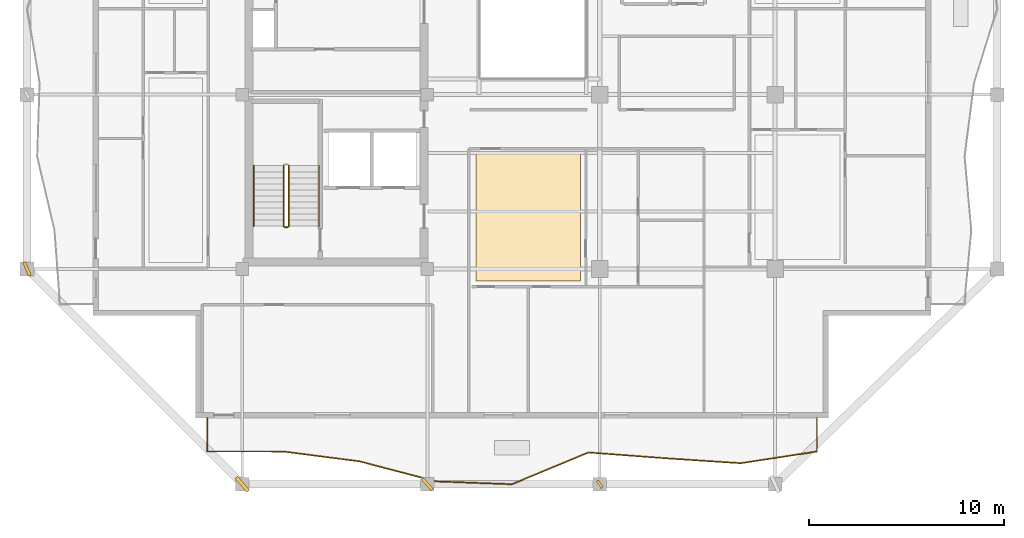
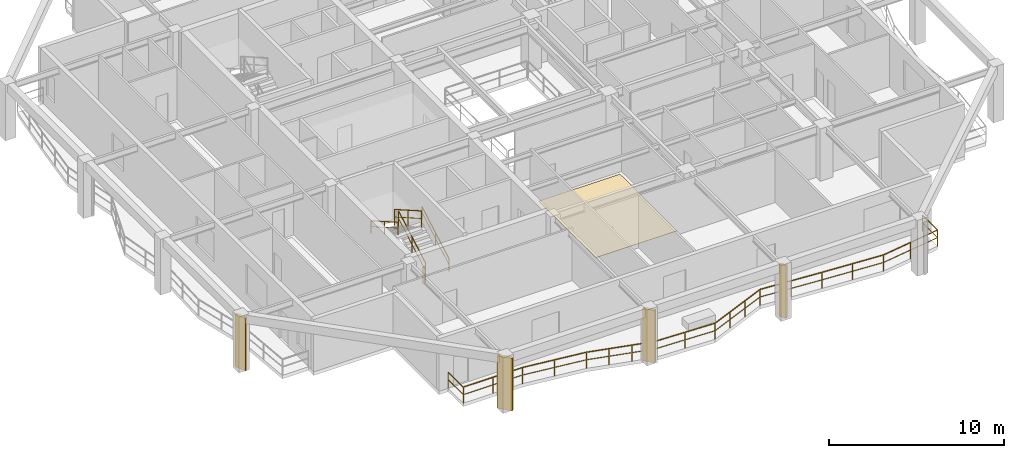
# One storey, part 7 of 11: 6 railings, 4 shading devices, 1 covering.
"""IFC4 building model written with IfcOpenShell, lengths in metres."""

from ifc_helpers import new_model, si_unit, direction, frame, origin, origin_2d, place, context, subcontext, project, spatial, polyline, rectangle, outline, extrude, material, layer, layer_set, type_object, element, save


model = new_model("IFC4")

# Units and contexts
model_context = context("Model", 3, precision=1e-05, world=origin(), true_north=direction((0.0, 1.0)))
body_context = subcontext(model_context, "Body", "Model", "MODEL_VIEW")
ifc_project = project(units=[si_unit("LENGTHUNIT", "METRE"), si_unit("AREAUNIT", "SQUARE_METRE"), si_unit("VOLUMEUNIT", "CUBIC_METRE"), si_unit("PLANEANGLEUNIT", "RADIAN"), si_unit("MASSUNIT", "GRAM", prefix="KILO")], contexts=[model_context])

# Site, building, storey
site_placement = place(None, origin())
site = spatial("IfcSite", under=ifc_project, at=site_placement, CompositionType="ELEMENT")
building_placement = place(site_placement, origin())
building = spatial("IfcBuilding", under=site, at=building_placement, Name="Kundavana Baori Tower", CompositionType="ELEMENT")
storey_placement = place(building_placement, frame((0.0, 0.0, 221.89990234375)))
storey = spatial("IfcBuildingStorey", under=building, at=storey_placement, Name="L54", CompositionType="ELEMENT", Elevation=221.89990234375)

# Covering
ifc_material_1 = material(Name="Honed Kota Stone and Terrazzo Flooring", Category="masonry")
ifc_layer = layer(ifc_material_1, 0.030029296875, Name="COV-INT-FLR")
ifc_layer_set = layer_set([ifc_layer], Name="Honed Kota Stone and Terrazzo Flooring")
covering_type = type_object("IfcCoveringType", Name="COV-INT-FLR", PredefinedType="FLOORING", material=ifc_layer_set)
covering_placement = place(storey_placement, origin())
element("IfcCovering", 1, at=covering_placement, inside=storey, type_object=covering_type, Name="L54 Room Finished Stone Flooring 3", PredefinedType="FLOORING", context=body_context, shape_type="SweptSolid", body=[
    extrude(outline(polyline([(27.43994140625, 14.6201171875), (32.81005859375, 14.6201171875), (32.81005859375, 21.139892578125), (27.43994140625, 21.139892578125), (27.43994140625, 14.6201171875)])), origin(), (0.0, 0.0, 1.0), 0.030029296875),
])

# Railings
ifc_material_2 = material(Name="Architectural Patinated Bronze Metalwork")
railing_type_1 = type_object("IfcRailingType", Name="RL-BAL-1150", PredefinedType="BALUSTRADE", material=ifc_material_2)
railing_1_placement = place(storey_placement, frame((44.949951171875, 7.60009765625, 0.0)))
element("IfcRailing", 2, at=railing_1_placement, inside=storey, type_object=railing_type_1, Name="L54 Loggia Balcony Balustrade S", PredefinedType="BALUSTRADE", context=body_context, shape_type="SweptSolid", body=[
    extrude(rectangle(XDim=0.048095703125, YDim=0.048095703125, at=origin_2d()), frame((0.0, 0.0, 1.1259765625), z_axis=(0.0, -1.0, 0.0), x_axis=(1.0, 0.0, 0.0)), (0.0, 0.0, 1.0), 1.72021484375),
    extrude(rectangle(XDim=0.03125, YDim=0.03125, at=origin_2d()), frame((0.0, 0.0, 0.597900390625), z_axis=(0.0, -1.0, 0.0), x_axis=(1.0, 0.0, 0.0)), (0.0, 0.0, 1.0), 1.72021484375),
    extrude(rectangle(XDim=0.048095703125, YDim=0.048095703125, at=origin_2d()), frame((0.0, -1.72021484375, 1.1259765625), z_axis=(-0.98833530179, -0.152293569252, 0.0), x_axis=(0.152293569252, -0.98833530179, 0.0)), (0.0, 0.0, 1.0), 3.9580078125),
    extrude(rectangle(XDim=0.03125, YDim=0.03125, at=origin_2d()), frame((0.0, -1.72021484375, 0.597900390625), z_axis=(-0.98833530179, -0.152293569252, 0.0), x_axis=(0.152293569252, -0.98833530179, 0.0)), (0.0, 0.0, 1.0), 3.9580078125),
    extrude(rectangle(XDim=0.048095703125, YDim=0.048095703125, at=origin_2d()), frame((-3.911865234375, -2.322998046875, 1.1259765625), z_axis=(-0.997852948888, 0.06549421651, 0.0), x_axis=(-0.06549421651, -0.997852948888, 0.0)), (0.0, 0.0, 1.0), 3.92138671875),
    extrude(rectangle(XDim=0.03125, YDim=0.03125, at=origin_2d()), frame((-3.911865234375, -2.322998046875, 0.597900390625), z_axis=(-0.997852948888, 0.06549421651, 0.0), x_axis=(-0.06549421651, -0.997852948888, 0.0)), (0.0, 0.0, 1.0), 3.92138671875),
    extrude(rectangle(XDim=0.048095703125, YDim=0.048095703125, at=origin_2d()), frame((-7.824951171875, -2.066162109375, 1.1259765625), z_axis=(-0.997147089618, 0.075482989248, 0.0), x_axis=(-0.075482989248, -0.997147089618, 0.0)), (0.0, 0.0, 1.0), 3.92333984375),
    extrude(rectangle(XDim=0.03125, YDim=0.03125, at=origin_2d()), frame((-7.824951171875, -2.066162109375, 0.597900390625), z_axis=(-0.997147089618, 0.075482989248, 0.0), x_axis=(-0.075482989248, -0.997147089618, 0.0)), (0.0, 0.0, 1.0), 3.92333984375),
    extrude(rectangle(XDim=0.048095703125, YDim=0.048095703125, at=origin_2d()), frame((-11.737060546875, -1.77001953125, 1.1259765625), z_axis=(-0.923095666334, -0.384570397711, 0.0), x_axis=(0.384570397711, -0.923095666334, 0.0)), (0.0, 0.0, 1.0), 4.23876953125),
    extrude(rectangle(XDim=0.03125, YDim=0.03125, at=origin_2d()), frame((-11.737060546875, -1.77001953125, 0.597900390625), z_axis=(-0.923095666334, -0.384570397711, 0.0), x_axis=(0.384570397711, -0.923095666334, 0.0)), (0.0, 0.0, 1.0), 4.23876953125),
    extrude(rectangle(XDim=0.048095703125, YDim=0.048095703125, at=origin_2d()), frame((-15.64990234375, -3.400146484375, 1.1259765625), z_axis=(-0.99930437184, 0.037293061306, 0.0), x_axis=(-0.037293061306, -0.99930437184, 0.0)), (0.0, 0.0, 1.0), 3.914794921875),
    extrude(rectangle(XDim=0.03125, YDim=0.03125, at=origin_2d()), frame((-15.64990234375, -3.400146484375, 0.597900390625), z_axis=(-0.99930437184, 0.037293061306, 0.0), x_axis=(-0.037293061306, -0.99930437184, 0.0)), (0.0, 0.0, 1.0), 3.914794921875),
    extrude(rectangle(XDim=0.048095703125, YDim=0.048095703125, at=origin_2d()), frame((-19.56201171875, -3.254150390625, 1.1259765625), z_axis=(-0.967350734529, 0.253441425987, 0.0), x_axis=(-0.253441425987, -0.967350734529, 0.0)), (0.0, 0.0, 1.0), 4.044921875),
    extrude(rectangle(XDim=0.03125, YDim=0.03125, at=origin_2d()), frame((-19.56201171875, -3.254150390625, 0.597900390625), z_axis=(-0.967350734529, 0.253441425987, 0.0), x_axis=(-0.253441425987, -0.967350734529, 0.0)), (0.0, 0.0, 1.0), 4.044921875),
    extrude(rectangle(XDim=0.048095703125, YDim=0.048095703125, at=origin_2d()), frame((-23.474853515625, -2.22900390625, 1.1259765625), z_axis=(-0.991684383869, 0.12869375583, 0.0), x_axis=(-0.12869375583, -0.991684383869, 0.0)), (0.0, 0.0, 1.0), 3.94580078125),
    extrude(rectangle(XDim=0.03125, YDim=0.03125, at=origin_2d()), frame((-23.474853515625, -2.22900390625, 0.597900390625), z_axis=(-0.991684383869, 0.12869375583, 0.0), x_axis=(-0.12869375583, -0.991684383869, 0.0)), (0.0, 0.0, 1.0), 3.94580078125),
    extrude(rectangle(XDim=0.048095703125, YDim=0.048095703125, at=origin_2d()), frame((-27.387939453125, -1.72119140625, 1.1259765625), z_axis=(-0.999999968844, 0.000249625554, 0.0), x_axis=(-0.000249625554, -0.999999968844, 0.0)), (0.0, 0.0, 1.0), 3.912109375),
    extrude(rectangle(XDim=0.03125, YDim=0.03125, at=origin_2d()), frame((-27.387939453125, -1.72119140625, 0.597900390625), z_axis=(-0.999999968844, 0.000249625554, 0.0), x_axis=(-0.000249625554, -0.999999968844, 0.0)), (0.0, 0.0, 1.0), 3.912109375),
    extrude(rectangle(XDim=0.048095703125, YDim=0.048095703125, at=origin_2d()), frame((-31.300048828125, -1.72021484375, 1.1259765625), z_axis=(0.0, 1.0, 0.0), x_axis=(-1.0, 0.0, 0.0)), (0.0, 0.0, 1.0), 1.72021484375),
    extrude(rectangle(XDim=0.03125, YDim=0.03125, at=origin_2d()), frame((-31.300048828125, -1.72021484375, 0.597900390625), z_axis=(0.0, 1.0, 0.0), x_axis=(-1.0, 0.0, 0.0)), (0.0, 0.0, 1.0), 1.72021484375),
    extrude(rectangle(XDim=0.0419921875, YDim=0.0419921875, at=origin_2d()), origin(), (0.0, 0.0, 1.0), 1.101806640625),
    extrude(rectangle(XDim=0.0419921875, YDim=0.0419921875, at=origin_2d()), frame((0.0, -1.72021484375, 0.0)), (0.0, 0.0, 1.0), 1.101806640625),
    extrude(rectangle(XDim=0.0419921875, YDim=0.0419921875, at=origin_2d()), frame((-1.9560546875, -2.021484375, 0.0)), (0.0, 0.0, 1.0), 1.101806640625),
    extrude(rectangle(XDim=0.0419921875, YDim=0.0419921875, at=origin_2d()), frame((-3.911865234375, -2.322998046875, 0.0)), (0.0, 0.0, 1.0), 1.101806640625),
    extrude(rectangle(XDim=0.0419921875, YDim=0.0419921875, at=origin_2d()), frame((-5.868408203125, -2.194580078125, 0.0)), (0.0, 0.0, 1.0), 1.101806640625),
    extrude(rectangle(XDim=0.0419921875, YDim=0.0419921875, at=origin_2d()), frame((-7.824951171875, -2.066162109375, 0.0)), (0.0, 0.0, 1.0), 1.101806640625),
    extrude(rectangle(XDim=0.0419921875, YDim=0.0419921875, at=origin_2d()), frame((-9.781005859375, -1.91796875, 0.0)), (0.0, 0.0, 1.0), 1.101806640625),
    extrude(rectangle(XDim=0.0419921875, YDim=0.0419921875, at=origin_2d()), frame((-11.737060546875, -1.77001953125, 0.0)), (0.0, 0.0, 1.0), 1.101806640625),
    extrude(rectangle(XDim=0.0419921875, YDim=0.0419921875, at=origin_2d()), frame((-13.041259765625, -2.3134765625, 0.0)), (0.0, 0.0, 1.0), 1.101806640625),
    extrude(rectangle(XDim=0.0419921875, YDim=0.0419921875, at=origin_2d()), frame((-14.345703125, -2.856689453125, 0.0)), (0.0, 0.0, 1.0), 1.101806640625),
    extrude(rectangle(XDim=0.0419921875, YDim=0.0419921875, at=origin_2d()), frame((-15.64990234375, -3.400146484375, 0.0)), (0.0, 0.0, 1.0), 1.101806640625),
    extrude(rectangle(XDim=0.0419921875, YDim=0.0419921875, at=origin_2d()), frame((-17.60595703125, -3.3271484375, 0.0)), (0.0, 0.0, 1.0), 1.101806640625),
    extrude(rectangle(XDim=0.0419921875, YDim=0.0419921875, at=origin_2d()), frame((-19.56201171875, -3.254150390625, 0.0)), (0.0, 0.0, 1.0), 1.101806640625),
    extrude(rectangle(XDim=0.0419921875, YDim=0.0419921875, at=origin_2d()), frame((-20.8662109375, -2.912353515625, 0.0)), (0.0, 0.0, 1.0), 1.101806640625),
    extrude(rectangle(XDim=0.0419921875, YDim=0.0419921875, at=origin_2d()), frame((-22.170654296875, -2.57080078125, 0.0)), (0.0, 0.0, 1.0), 1.101806640625),
    extrude(rectangle(XDim=0.0419921875, YDim=0.0419921875, at=origin_2d()), frame((-23.474853515625, -2.22900390625, 0.0)), (0.0, 0.0, 1.0), 1.101806640625),
    extrude(rectangle(XDim=0.0419921875, YDim=0.0419921875, at=origin_2d()), frame((-25.431396484375, -1.97509765625, 0.0)), (0.0, 0.0, 1.0), 1.101806640625),
    extrude(rectangle(XDim=0.0419921875, YDim=0.0419921875, at=origin_2d()), frame((-27.387939453125, -1.72119140625, 0.0)), (0.0, 0.0, 1.0), 1.101806640625),
    extrude(rectangle(XDim=0.0419921875, YDim=0.0419921875, at=origin_2d()), frame((-29.343994140625, -1.720703125, 0.0)), (0.0, 0.0, 1.0), 1.101806640625),
    extrude(rectangle(XDim=0.0419921875, YDim=0.0419921875, at=origin_2d()), frame((-31.300048828125, -1.72021484375, 0.0)), (0.0, 0.0, 1.0), 1.101806640625),
    extrude(rectangle(XDim=0.0419921875, YDim=0.0419921875, at=origin_2d()), frame((-31.300048828125, 0.0, 0.0)), (0.0, 0.0, 1.0), 1.101806640625),
])
ifc_material_3 = material(Name="Architectural Patinated Bronze Metalwork")
railing_type_2 = type_object("IfcRailingType", Name="RL-GRD-1150", PredefinedType="GUARDRAIL", material=ifc_material_3)
railing_2_placement = place(storey_placement, frame((17.840087890625, 17.449951171875, 0.177490234375)))
element("IfcRailing", 3, at=railing_2_placement, inside=storey, type_object=railing_type_2, Name="L54 ST1 stair guard 1", PredefinedType="GUARDRAIL", context=body_context, shape_type="SweptSolid", body=[
    extrude(rectangle(XDim=0.048095703125, YDim=0.048095703125, at=origin_2d()), frame((0.0, 0.0, 1.1259765625), z_axis=(0.0, 0.868095856688, 0.496396599103), x_axis=(-1.0, 0.0, 0.0)), (0.0, 0.0, 1.0), 3.571044921875),
    extrude(rectangle(XDim=0.03125, YDim=0.03125, at=origin_2d()), frame((0.0, 0.0, 0.597900390625), z_axis=(0.0, 0.868095856688, 0.496396599103), x_axis=(-1.0, 0.0, 0.0)), (0.0, 0.0, 1.0), 3.571044921875),
    extrude(rectangle(XDim=0.0419921875, YDim=0.0419921875, at=origin_2d()), origin(), (0.0, 0.0, 1.0), 1.101806640625),
    extrude(rectangle(XDim=0.0419921875, YDim=0.0419921875, at=origin_2d()), frame((0.0, 1.550048828125, 0.88623046875)), (0.0, 0.0, 1.0), 1.101806640625),
    extrude(rectangle(XDim=0.0419921875, YDim=0.0419921875, at=origin_2d()), frame((0.0, 3.10009765625, 1.772705078125)), (0.0, 0.0, 1.0), 1.101806640625),
])
railing_3_placement = place(storey_placement, frame((17.580078125, 20.550048828125, 2.12744140625)))
element("IfcRailing", 4, at=railing_3_placement, inside=storey, type_object=railing_type_2, Name="L54 ST1 stair guard 3", PredefinedType="GUARDRAIL", context=body_context, shape_type="SweptSolid", body=[
    extrude(rectangle(XDim=0.048095703125, YDim=0.048095703125, at=origin_2d()), frame((0.0, 0.0, 1.1259765625), z_axis=(0.0, -0.868095856688, 0.496396599103), x_axis=(1.0, 0.0, 0.0)), (0.0, 0.0, 1.0), 3.571044921875),
    extrude(rectangle(XDim=0.03125, YDim=0.03125, at=origin_2d()), frame((0.0, 0.0, 0.597900390625), z_axis=(0.0, -0.868095856688, 0.496396599103), x_axis=(1.0, 0.0, 0.0)), (0.0, 0.0, 1.0), 3.571044921875),
    extrude(rectangle(XDim=0.0419921875, YDim=0.0419921875, at=origin_2d()), origin(), (0.0, 0.0, 1.0), 1.101806640625),
    extrude(rectangle(XDim=0.0419921875, YDim=0.0419921875, at=origin_2d()), frame((0.0, -1.550048828125, 0.88623046875)), (0.0, 0.0, 1.0), 1.101806640625),
    extrude(rectangle(XDim=0.0419921875, YDim=0.0419921875, at=origin_2d()), frame((0.0, -3.10009765625, 1.772705078125)), (0.0, 0.0, 1.0), 1.101806640625),
])
railing_4_placement = place(storey_placement, frame((17.7900390625, 17.39990234375, 0.0)))
element("IfcRailing", 5, at=railing_4_placement, inside=storey, type_object=railing_type_2, Name="L54 ST1 stair guard 4", PredefinedType="GUARDRAIL", context=body_context, shape_type="SweptSolid", body=[
    extrude(rectangle(XDim=0.048095703125, YDim=0.048095703125, at=origin_2d()), frame((0.0, 0.0, 1.1259765625), z_axis=(-1.0, 0.0, 0.0), x_axis=(0.0, -1.0, 0.0)), (0.0, 0.0, 1.0), 0.16015625),
    extrude(rectangle(XDim=0.03125, YDim=0.03125, at=origin_2d()), frame((0.0, 0.0, 0.597900390625), z_axis=(-1.0, 0.0, 0.0), x_axis=(0.0, -1.0, 0.0)), (0.0, 0.0, 1.0), 0.16015625),
    extrude(rectangle(XDim=0.0419921875, YDim=0.0419921875, at=origin_2d()), origin(), (0.0, 0.0, 1.0), 1.101806640625),
    extrude(rectangle(XDim=0.0419921875, YDim=0.0419921875, at=origin_2d()), frame((-0.16015625, 0.0, 0.0)), (0.0, 0.0, 1.0), 1.101806640625),
])
ifc_material_4 = material(Name="Architectural Patinated Bronze Metalwork")
railing_type_3 = type_object("IfcRailingType", Name="RL-HND-920", PredefinedType="HANDRAIL", material=ifc_material_4)
railing_5_placement = place(storey_placement, frame((19.389892578125, 17.449951171875, 0.177490234375)))
element("IfcRailing", 6, at=railing_5_placement, inside=storey, type_object=railing_type_3, Name="L54 ST1 stair handrail 1", PredefinedType="HANDRAIL", context=body_context, shape_type="SweptSolid", body=[
    extrude(rectangle(XDim=0.048095703125, YDim=0.048095703125, at=origin_2d()), frame((0.0, 0.0, 0.8759765625), z_axis=(0.0, 0.868095856688, 0.496396599103), x_axis=(-1.0, 0.0, 0.0)), (0.0, 0.0, 1.0), 3.571044921875),
    extrude(rectangle(XDim=0.03125, YDim=0.03125, at=origin_2d()), frame((0.0, 0.0, 0.468017578125), z_axis=(0.0, 0.868095856688, 0.496396599103), x_axis=(-1.0, 0.0, 0.0)), (0.0, 0.0, 1.0), 3.571044921875),
    extrude(rectangle(XDim=0.0419921875, YDim=0.0419921875, at=origin_2d()), origin(), (0.0, 0.0, 1.0), 0.851806640625),
    extrude(rectangle(XDim=0.0419921875, YDim=0.0419921875, at=origin_2d()), frame((0.0, 1.550048828125, 0.88623046875)), (0.0, 0.0, 1.0), 0.851806640625),
    extrude(rectangle(XDim=0.0419921875, YDim=0.0419921875, at=origin_2d()), frame((0.0, 3.10009765625, 1.772705078125)), (0.0, 0.0, 1.0), 0.851806640625),
])
railing_6_placement = place(storey_placement, frame((16.030029296875, 20.550048828125, 2.12744140625)))
element("IfcRailing", 7, at=railing_6_placement, inside=storey, type_object=railing_type_3, Name="L54 ST1 stair handrail 2", PredefinedType="HANDRAIL", context=body_context, shape_type="SweptSolid", body=[
    extrude(rectangle(XDim=0.048095703125, YDim=0.048095703125, at=origin_2d()), frame((0.0, 0.0, 0.8759765625), z_axis=(0.0, -0.868095856688, 0.496396599103), x_axis=(1.0, 0.0, 0.0)), (0.0, 0.0, 1.0), 3.571044921875),
    extrude(rectangle(XDim=0.03125, YDim=0.03125, at=origin_2d()), frame((0.0, 0.0, 0.468017578125), z_axis=(0.0, -0.868095856688, 0.496396599103), x_axis=(1.0, 0.0, 0.0)), (0.0, 0.0, 1.0), 3.571044921875),
    extrude(rectangle(XDim=0.0419921875, YDim=0.0419921875, at=origin_2d()), origin(), (0.0, 0.0, 1.0), 0.851806640625),
    extrude(rectangle(XDim=0.0419921875, YDim=0.0419921875, at=origin_2d()), frame((0.0, -1.550048828125, 0.88623046875)), (0.0, 0.0, 1.0), 0.851806640625),
    extrude(rectangle(XDim=0.0419921875, YDim=0.0419921875, at=origin_2d()), frame((0.0, -3.10009765625, 1.772705078125)), (0.0, 0.0, 1.0), 0.851806640625),
])

# Shading devices
ifc_material_5 = material(Name="Red-Buff Dholpur Sandstone Cladding on Concrete C40/50", Category="masonry")
shading_device_type_1 = type_object("IfcShadingDeviceType", Name="SHD-FIN-750", PredefinedType="JALOUSIE", material=ifc_material_5)
for number, where, z_axis, x_axis, name in (
    (8, (24.949951171875, 4.199951171875, 0.0), (0.0, 0.0, 1.0), (0.75619618703, 0.654344960034, 0.0), "L54 Sweeping Dholpur Sandstone Facade Fin 2"),
    (9, (4.39990234375, 15.25, 0.0), (0.0, 0.0, 1.0), (0.923411307113, 0.383811878264, 0.0), "L54 Sweeping Dholpur Sandstone Facade Fin 5"),
):
    element("IfcShadingDevice", number, at=place(storey_placement, frame(where, z_axis=z_axis, x_axis=x_axis)), inside=storey, type_object=shading_device_type_1, Name=name, PredefinedType="JALOUSIE", context=body_context, shape_type="SweptSolid", body=[
        extrude(rectangle(XDim=0.159912109375, YDim=0.75, at=origin_2d()), origin(), (0.0, 0.0, 1.0), 3.659912109375),
    ])
ifc_material_6 = material(Name="Red-Buff Dholpur Sandstone Cladding on Concrete C40/50", Category="masonry")
shading_device_type_2 = type_object("IfcShadingDeviceType", Name="SHD-FIN-920", PredefinedType="JALOUSIE", material=ifc_material_6)
shading_device_1_placement = place(storey_placement, frame((15.449951171875, 4.199951171875, 0.0), z_axis=(0.0, 0.0, 1.0), x_axis=(0.758361915289, 0.651833725301, 0.0)))
element("IfcShadingDevice", 10, at=shading_device_1_placement, inside=storey, type_object=shading_device_type_2, Name="L54 Sweeping Dholpur Sandstone Facade Fin 1", PredefinedType="JALOUSIE", context=body_context, shape_type="SweptSolid", body=[
    extrude(rectangle(XDim=0.179931640625, YDim=0.919921875, at=origin_2d()), origin(), (0.0, 0.0, 1.0), 3.659912109375),
])
ifc_material_7 = material(Name="Architectural Patinated Bronze Metalwork")
shading_device_type_3 = type_object("IfcShadingDeviceType", Name="SHD-LOUV-450", PredefinedType="SHUTTER", material=ifc_material_7)
shading_device_2_placement = place(storey_placement, frame((33.800048828125, 4.199951171875, 0.0), z_axis=(0.0, 0.0, 1.0), x_axis=(0.839525049921, 0.543320982988, 0.0)))
element("IfcShadingDevice", 11, at=shading_device_2_placement, inside=storey, type_object=shading_device_type_3, Name="L54 Sweeping Dholpur Sandstone Facade Fin 3", PredefinedType="SHUTTER", context=body_context, shape_type="SweptSolid", body=[
    extrude(rectangle(XDim=0.139892578125, YDim=0.449951171875, at=origin_2d()), origin(), (0.0, 0.0, 1.0), 3.659912109375),
])

save(model, "model.ifc")
